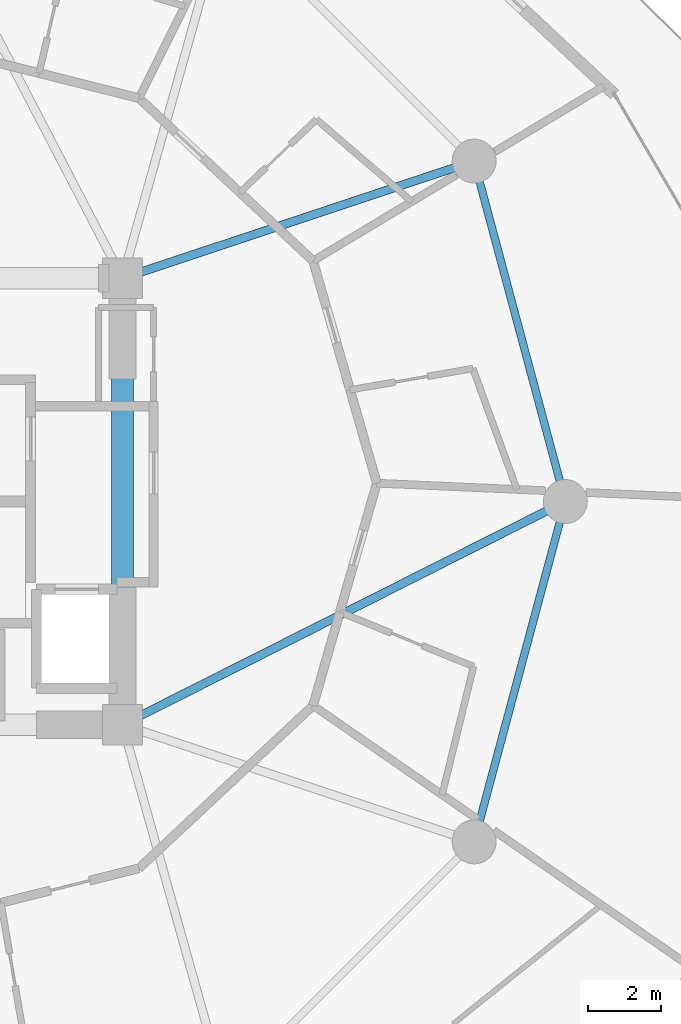
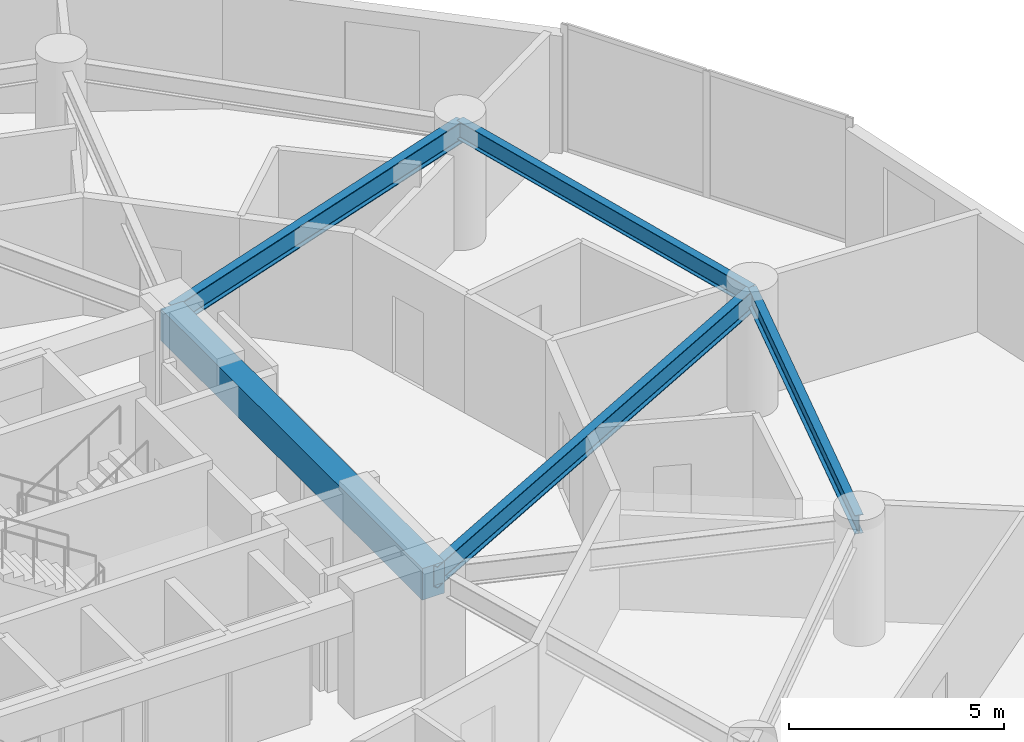
# One storey, part 9 of 23: 5 beams.
"""IFC4 building model written with IfcOpenShell, lengths in metres."""

from ifc_helpers import new_model, si_unit, direction, frame, origin, origin_2d, place, context, subcontext, project, spatial, rectangle, i_section, extrude, material, material_profile, profile_set, type_object, element, save


model = new_model("IFC4")

# Units and contexts
model_context = context("Model", 3, precision=1e-05, world=origin(), true_north=direction((0.0, 1.0)))
body_context = subcontext(model_context, "Body", "Model", "MODEL_VIEW")
ifc_project = project(units=[si_unit("LENGTHUNIT", "METRE"), si_unit("AREAUNIT", "SQUARE_METRE"), si_unit("VOLUMEUNIT", "CUBIC_METRE"), si_unit("PLANEANGLEUNIT", "RADIAN"), si_unit("MASSUNIT", "GRAM", prefix="KILO")], contexts=[model_context])

# Site, building, storey
site_placement = place(None, origin())
site = spatial("IfcSite", under=ifc_project, at=site_placement, CompositionType="ELEMENT")
building_placement = place(site_placement, origin())
building = spatial("IfcBuilding", under=site, at=building_placement, Name="Solvirekh Grand Hotel", CompositionType="ELEMENT")
storey_placement = place(building_placement, frame((0.0, 0.0, 75.199951171875)))
storey = spatial("IfcBuildingStorey", under=building, at=storey_placement, Name="L18", CompositionType="ELEMENT", Elevation=75.199951171875)

# Beams
ifc_material_1 = material(Name="Concrete C50/60", Category="concrete")
ifc_material_profile_1 = material_profile(ifc_material_1, rectangle(XDim=0.60009765625, YDim=0.89990234375, at=origin_2d()), Name="RC BEAM 600X900")
ifc_profile_set_1 = profile_set([ifc_material_profile_1], Name="Concrete C50/60")
beam_type_1 = type_object("IfcBeamType", Name="Beam_Core_RC900", PredefinedType="BEAM", material=ifc_profile_set_1)
beam_1_placement = place(storey_placement, frame((6.5, -6.10009765625, 2.89013671875), z_axis=(0.0, 1.0, 0.0), x_axis=(-1.0, 0.0, 0.0)))
element("IfcBeam", 1, at=beam_1_placement, inside=storey, type_object=beam_type_1, Name="L18 core coupling ring beam 2", PredefinedType="BEAM", context=body_context, shape_type="SweptSolid", body=[
    extrude(rectangle(XDim=0.60009765625, YDim=0.89990234375, at=origin_2d()), origin(), (0.0, 0.0, 1.0), 12.2001953125),
])
ifc_material_2 = material(Name="Steel S355", Category="steel")
ifc_material_profile_2 = material_profile(ifc_material_2, i_section(OverallWidth=0.22998046875, OverallDepth=0.615966796875, WebThickness=0.013916015625, FlangeThickness=0.02392578125, FilletRadius=0.014892578125, at=origin_2d()), Name="W610X174")
ifc_profile_set_2 = profile_set([ifc_material_profile_2], Name="Steel S355")
beam_type_2 = type_object("IfcBeamType", Name="Beam_Primary_W610H", PredefinedType="BEAM", material=ifc_profile_set_2)
beam_2_placement = place(storey_placement, frame((6.5, -6.10009765625, 3.031982421875), z_axis=(0.892944939011, 0.450165898191, 0.0), x_axis=(-0.450165898191, 0.892944939011, 0.0)))
element("IfcBeam", 2, at=beam_2_placement, inside=storey, type_object=beam_type_2, Name="L18 radial floor beam R01", PredefinedType="BEAM", context=body_context, shape_type="SweptSolid", body=[
    extrude(i_section(OverallWidth=0.22998046875, OverallDepth=0.615966796875, WebThickness=0.013916015625, FlangeThickness=0.02392578125, FilletRadius=0.014892578125, at=origin_2d()), origin(), (0.0, 0.0, 1.0), 13.55078125),
])
beam_3_placement = place(storey_placement, frame((6.5, 6.10009765625, 3.031982421875), z_axis=(0.948762825819, 0.315989082635, 0.0), x_axis=(-0.315989082635, 0.948762825819, 0.0)))
element("IfcBeam", 3, at=beam_3_placement, inside=storey, type_object=beam_type_2, Name="L18 radial floor beam R02", PredefinedType="BEAM", context=body_context, shape_type="SweptSolid", body=[
    extrude(i_section(OverallWidth=0.22998046875, OverallDepth=0.615966796875, WebThickness=0.013916015625, FlangeThickness=0.02392578125, FilletRadius=0.014892578125, at=origin_2d()), origin(), (0.0, 0.0, 1.0), 10.126708984375),
])
ifc_material_profile_3 = material_profile(ifc_material_2, i_section(OverallWidth=0.208984375, OverallDepth=0.532958984375, WebThickness=0.010009765625, FlangeThickness=0.014892578125, FilletRadius=0.013916015625, at=origin_2d()), Name="W530X92")
ifc_profile_set_3 = profile_set([ifc_material_profile_3], Name="Steel S355")
beam_type_3 = type_object("IfcBeamType", Name="Spandrel_Ring_W530", PredefinedType="SPANDREL", material=ifc_profile_set_3)
for number, where, z_axis, x_axis, name in (
    (4, (18.60009765625, 0.0, 3.073974609375), (-0.258842973314, 0.965919414426, 0.0), (-0.965919414426, -0.258842973314, 0.0), "L18 perimeter spandrel beam 1"),
    (5, (16.10791015625, -9.300048828125, 3.073974609375), (0.258842973314, 0.965919414426, 0.0), (-0.965919414426, 0.258842973314, 0.0), "L18 perimeter spandrel beam 12"),
):
    element("IfcBeam", number, at=place(storey_placement, frame(where, z_axis=z_axis, x_axis=x_axis)), inside=storey, type_object=beam_type_3, Name=name, PredefinedType="SPANDREL", context=body_context, shape_type="SweptSolid", body=[
        extrude(i_section(OverallWidth=0.208984375, OverallDepth=0.532958984375, WebThickness=0.010009765625, FlangeThickness=0.014892578125, FilletRadius=0.013916015625, at=origin_2d()), origin(), (0.0, 0.0, 1.0), 9.628173828125),
    ])

save(model, "model.ifc")
